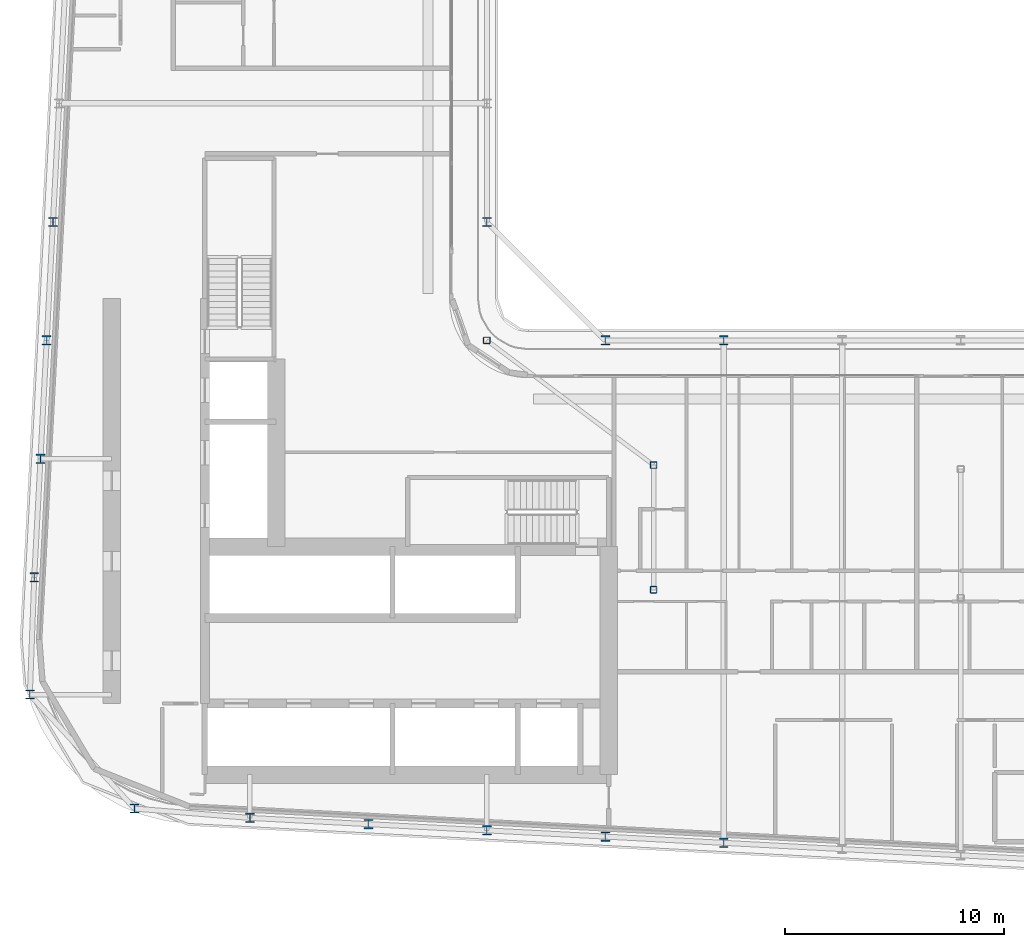
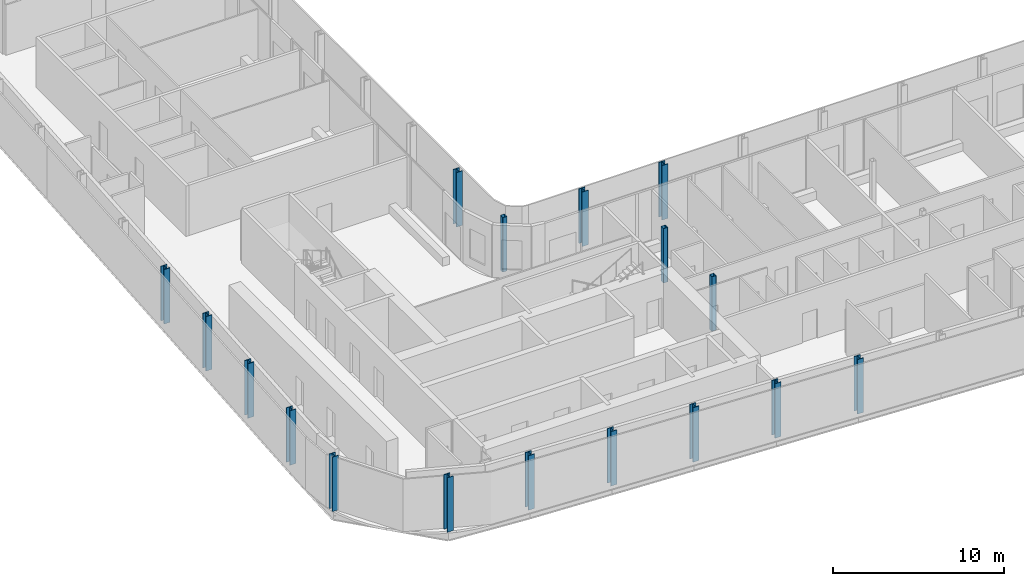
# One storey, part 1 of 30: 17 columns.
"""IFC4 building model written with IfcOpenShell, lengths in metres."""

from ifc_helpers import new_model, si_unit, direction, frame, origin, origin_2d, place, context, subcontext, project, spatial, hollow_rectangle, i_section, extrude, material, material_profile, profile_set, type_object, element, save


model = new_model("IFC4")

# Units and contexts
model_context = context("Model", 3, precision=1e-05, world=origin(), true_north=direction((0.0, 1.0)))
body_context = subcontext(model_context, "Body", "Model", "MODEL_VIEW")
ifc_project = project(units=[si_unit("LENGTHUNIT", "METRE"), si_unit("AREAUNIT", "SQUARE_METRE"), si_unit("VOLUMEUNIT", "CUBIC_METRE"), si_unit("PLANEANGLEUNIT", "RADIAN"), si_unit("MASSUNIT", "GRAM", prefix="KILO")], contexts=[model_context])

# Site, building, storey
site_placement = place(None, origin())
site = spatial("IfcSite", under=ifc_project, at=site_placement, CompositionType="ELEMENT")
building_placement = place(site_placement, origin())
building = spatial("IfcBuilding", under=site, at=building_placement, Name="Kheshtan School and Residences Tower", CompositionType="ELEMENT")
storey_placement = place(building_placement, frame((0.0, 0.0, 199.39990234375)))
storey = spatial("IfcBuildingStorey", under=building, at=storey_placement, Name="L47", CompositionType="ELEMENT", Elevation=199.39990234375)

# Columns
ifc_material_1 = material(Name="Steel ASTM A992 Grade 50", Category="steel")
ifc_material_profile_1 = material_profile(ifc_material_1, i_section(OverallWidth=0.408935546875, OverallDepth=0.425048828125, WebThickness=0.03271484375, FlangeThickness=0.052490234375, FilletRadius=0.0126953125, at=origin_2d()), Name="W360x421")
ifc_profile_set_1 = profile_set([ifc_material_profile_1], Name="Steel ASTM A992 Grade 50")
column_type_1 = type_object("IfcColumnType", Name="Column C3 W360x421 ASTM A992 Grade 50", PredefinedType="COLUMN", material=ifc_profile_set_1)
for number, where, z_axis, x_axis, name in (
    (1, (58.39990234375, 22.695068359375, 0.0), (0.0, 0.0, 1.0), (1.0, 0.0, 0.0), "Column C018"),
    (2, (53.0, 22.97998046875, 0.0), (0.0, 0.0, 1.0), (1.0, 0.0, 0.0), "Column C019"),
    (3, (47.60009765625, 23.263916015625, 0.0), (0.0, 0.0, 1.0), (1.0, 0.0, 0.0), "Column C020"),
    (4, (42.199951171875, 23.548095703125, 0.0), (0.0, 0.0, 1.0), (1.0, 0.0, 0.0), "Column C021"),
    (5, (36.800048828125, 23.83203125, 0.0), (0.0, 0.0, 1.0), (1.0, 0.0, 0.0), "Column C022"),
    (6, (31.5419921875, 24.257080078125, 0.0), (0.0, 0.0, 1.0), (1.0, 0.0, 0.0), "Column C025"),
    (7, (26.76904296875, 29.4541015625, 0.0), (0.0, 0.0, 1.0), (1.0, 0.0, 0.0), "Column C038"),
    (8, (26.968994140625, 34.800048828125, 0.0), (0.0, 0.0, 1.0), (1.0, 0.0, 0.0), "Column C052"),
    (9, (27.2529296875, 40.199951171875, 0.0), (0.0, 0.0, 1.0), (1.0, 0.0, 0.0), "Column C056"),
    (10, (27.537109375, 45.60009765625, 0.0), (0.0, 0.0, 1.0), (1.0, 0.0, 0.0), "Column C059"),
    (11, (53.0, 45.60009765625, 0.0), (0.0, 0.0, 1.0), (1.0, 0.0, 0.0), "Column C061"),
    (12, (58.39990234375, 45.60009765625, 0.0), (0.0, 0.0, 1.0), (1.0, 0.0, 0.0), "Column C062"),
    (13, (27.822021484375, 51.0, 0.0), (0.0, 0.0, 1.0), (1.0, 0.0, 0.0), "Column C078"),
    (14, (47.60009765625, 51.0, 0.0), (0.0, 0.0, 1.0), (1.0, 0.0, 0.0), "Column C079"),
):
    element("IfcColumn", number, at=place(storey_placement, frame(where, z_axis=z_axis, x_axis=x_axis)), inside=storey, type_object=column_type_1, Name=name, PredefinedType="COLUMN", context=body_context, shape_type="SweptSolid", body=[
        extrude(i_section(OverallWidth=0.408935546875, OverallDepth=0.425048828125, WebThickness=0.03271484375, FlangeThickness=0.052490234375, FilletRadius=0.0126953125, at=origin_2d()), origin(), (0.0, 0.0, 1.0), 3.900146484375),
    ])
ifc_material_2 = material(Name="Steel ASTM A500 Grade C", Category="steel")
ifc_material_profile_2 = material_profile(ifc_material_2, hollow_rectangle(XDim=0.304931640625, YDim=0.304931640625, WallThickness=0.015869140625, InnerFilletRadius=0.015869140625, OuterFilletRadius=0.03173828125, at=origin_2d()), Name="HSS 305x305x15.9")
ifc_profile_set_2 = profile_set([ifc_material_profile_2], Name="Steel ASTM A500 Grade C")
column_type_2 = type_object("IfcColumnType", Name="Column IC2 HSS 305x305x15.9 ASTM A500 Grade C", PredefinedType="COLUMN", material=ifc_profile_set_2)
for number, where, z_axis, x_axis, name in (
    (15, (55.199951171875, 34.23193359375, 0.0), (0.0, 0.0, 1.0), (1.0, 0.0, 0.0), "Column C051"),
    (16, (55.199951171875, 39.916015625, 0.0), (0.0, 0.0, 1.0), (1.0, 0.0, 0.0), "Column C055"),
    (17, (47.60009765625, 45.60009765625, 0.0), (0.0, 0.0, 1.0), (1.0, 0.0, 0.0), "Column C060"),
):
    element("IfcColumn", number, at=place(storey_placement, frame(where, z_axis=z_axis, x_axis=x_axis)), inside=storey, type_object=column_type_2, Name=name, PredefinedType="COLUMN", context=body_context, shape_type="SweptSolid", body=[
        extrude(hollow_rectangle(XDim=0.304931640625, YDim=0.304931640625, WallThickness=0.015869140625, InnerFilletRadius=0.015869140625, OuterFilletRadius=0.03173828125, at=origin_2d()), origin(), (0.0, 0.0, 1.0), 3.900146484375),
    ])

save(model, "model.ifc")
